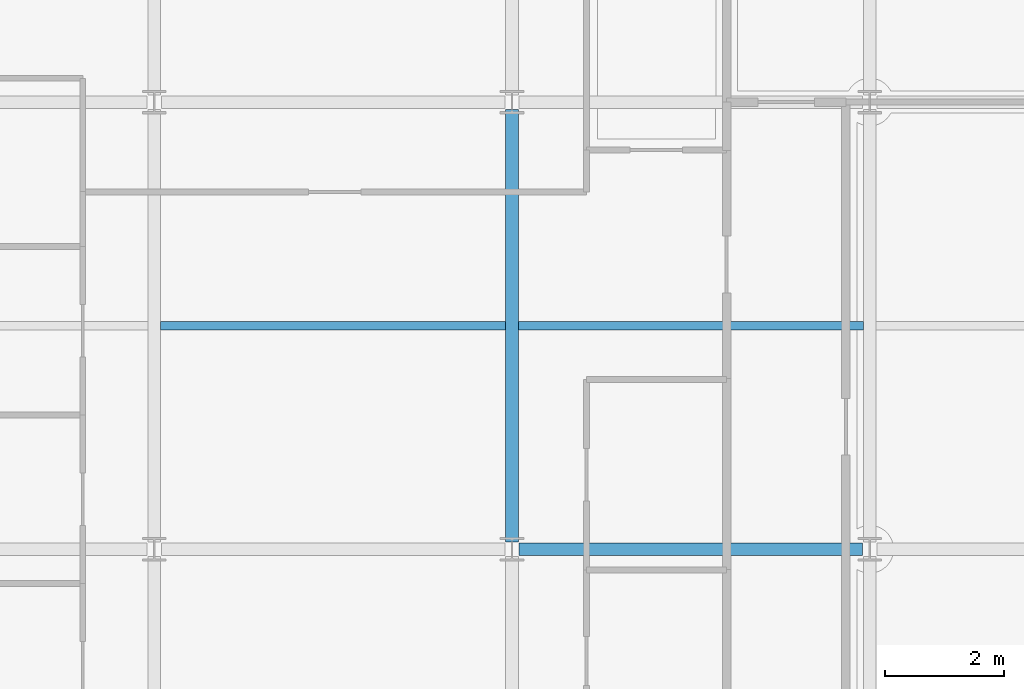
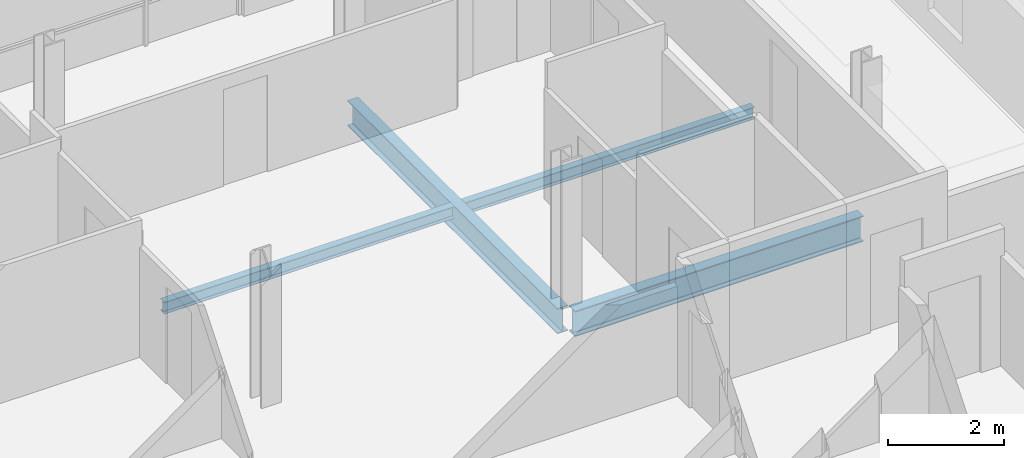
# One storey, part 7 of 35: 4 beams.
"""IFC4 building model written with IfcOpenShell, lengths in metres."""

from ifc_helpers import new_model, si_unit, direction, frame, origin, origin_2d, place, context, subcontext, project, spatial, i_section, extrude, material, material_profile, profile_set, type_object, element, save


model = new_model("IFC4")

# Units and contexts
model_context = context("Model", 3, precision=1e-05, world=origin(), true_north=direction((0.0, 1.0)))
body_context = subcontext(model_context, "Body", "Model", "MODEL_VIEW")
ifc_project = project(units=[si_unit("LENGTHUNIT", "METRE"), si_unit("AREAUNIT", "SQUARE_METRE"), si_unit("VOLUMEUNIT", "CUBIC_METRE"), si_unit("PLANEANGLEUNIT", "RADIAN"), si_unit("MASSUNIT", "GRAM", prefix="KILO")], contexts=[model_context])

# Site, building, storey
site_placement = place(None, origin())
site = spatial("IfcSite", under=ifc_project, at=site_placement, CompositionType="ELEMENT")
building_placement = place(site_placement, origin())
building = spatial("IfcBuilding", under=site, at=building_placement, Name="Brevholm Reach", CompositionType="ELEMENT")
storey_placement = place(building_placement, frame((0.0, 0.0, 183.199951171875)))
storey = spatial("IfcBuildingStorey", under=building, at=storey_placement, Name="L55", CompositionType="ELEMENT", Elevation=183.199951171875)

# Beams
ifc_material_1 = material(Name="Structural Steel S355J2", Category="steel")
ifc_material_profile_1 = material_profile(ifc_material_1, i_section(OverallWidth=0.14599609375, OverallDepth=0.25146484375, WebThickness=0.006103515625, FlangeThickness=0.008544921875, FilletRadius=0.007568359375, at=origin_2d()), Name="UKB 254x146x31")
ifc_profile_set_1 = profile_set([ifc_material_profile_1], Name="Structural Steel S355J2")
beam_type_1 = type_object("IfcBeamType", Name="BM-B254", PredefinedType="BEAM", material=ifc_profile_set_1)
for number, where, z_axis, x_axis, name in (
    (1, (6.10546875, 19.75, -0.335693359375), (1.0, 0.0, 0.0), (0.0, 1.0, 0.0), "L55 Composite Secondary Floor Beam"),
    (2, (12.10546875, 19.75, -0.335693359375), (1.0, 0.0, 0.0), (0.0, 1.0, 0.0), "L55 Composite Secondary Floor Beam"),
):
    element("IfcBeam", number, at=place(storey_placement, frame(where, z_axis=z_axis, x_axis=x_axis)), inside=storey, type_object=beam_type_1, Name=name, PredefinedType="BEAM", context=body_context, shape_type="SweptSolid", body=[
        extrude(i_section(OverallWidth=0.14599609375, OverallDepth=0.25146484375, WebThickness=0.006103515625, FlangeThickness=0.008544921875, FilletRadius=0.007568359375, at=origin_2d()), origin(), (0.0, 0.0, 1.0), 5.7890625),
    ])
ifc_material_2 = material(Name="Structural Steel S355J2", Category="steel")
ifc_material_profile_2 = material_profile(ifc_material_2, i_section(OverallWidth=0.210693359375, OverallDepth=0.53955078125, WebThickness=0.01171875, FlangeThickness=0.018798828125, FilletRadius=0.0126953125, at=origin_2d()), Name="UKB 533x210x109")
ifc_profile_set_2 = profile_set([ifc_material_profile_2], Name="Structural Steel S355J2")
beam_type_2 = type_object("IfcBeamType", Name="BM-SP539", PredefinedType="SPANDREL", material=ifc_profile_set_2)
beam_1_placement = place(storey_placement, frame((12.1201171875, 16.0, -0.479736328125), z_axis=(1.0, 0.0, 0.0), x_axis=(0.0, 1.0, 0.0)))
element("IfcBeam", 3, at=beam_1_placement, inside=storey, type_object=beam_type_2, Name="L55 SP-01B Framing Beam", PredefinedType="SPANDREL", context=body_context, shape_type="SweptSolid", body=[
    extrude(i_section(OverallWidth=0.210693359375, OverallDepth=0.53955078125, WebThickness=0.01171875, FlangeThickness=0.018798828125, FilletRadius=0.0126953125, at=origin_2d()), origin(), (0.0, 0.0, 1.0), 5.759765625),
])
beam_2_placement = place(storey_placement, frame((12.0, 16.1201171875, -0.479736328125), z_axis=(0.0, 1.0, 0.0), x_axis=(-1.0, 0.0, 0.0)))
element("IfcBeam", 4, at=beam_2_placement, inside=storey, type_object=beam_type_2, Name="L55 SP-01B Framing Beam", PredefinedType="SPANDREL", context=body_context, shape_type="SweptSolid", body=[
    extrude(i_section(OverallWidth=0.210693359375, OverallDepth=0.53955078125, WebThickness=0.01171875, FlangeThickness=0.018798828125, FilletRadius=0.0126953125, at=origin_2d()), origin(), (0.0, 0.0, 1.0), 7.259765625),
])

save(model, "model.ifc")
